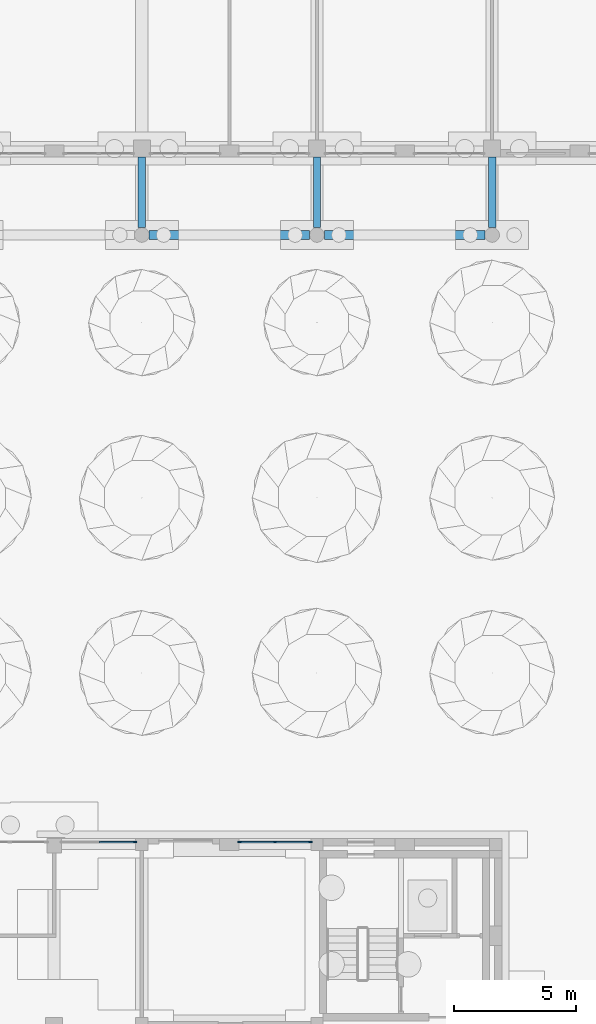
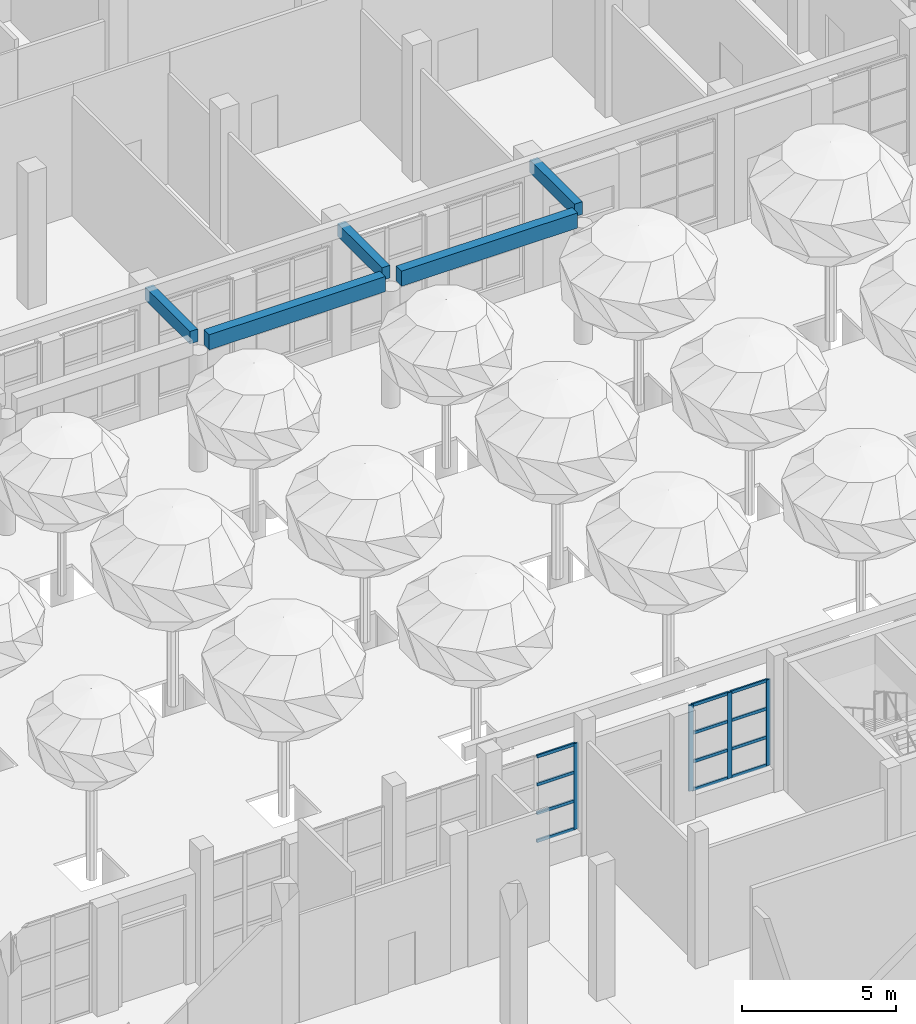
# One storey, part 20 of 80: 16 members, 5 beams, 2 elements without a shape of their own.
"""IFC4 building model written with IfcOpenShell, lengths in metres."""

from ifc_helpers import new_model, si_unit, direction, frame, origin, origin_2d, place, context, subcontext, project, spatial, rectangle, extrude, material, layer, layer_set, material_profile, profile_set, type_object, element, aggregate, save


model = new_model("IFC4")

# Units and contexts
model_context = context("Model", 3, precision=1e-05, world=origin(), true_north=direction((0.0, 1.0)))
body_context = subcontext(model_context, "Body", "Model", "MODEL_VIEW")
ifc_project = project(units=[si_unit("LENGTHUNIT", "METRE"), si_unit("AREAUNIT", "SQUARE_METRE"), si_unit("VOLUMEUNIT", "CUBIC_METRE"), si_unit("PLANEANGLEUNIT", "RADIAN"), si_unit("MASSUNIT", "GRAM", prefix="KILO")], contexts=[model_context])

# Site, building, storey
site_placement = place(None, origin())
site = spatial("IfcSite", under=ifc_project, at=site_placement, CompositionType="ELEMENT")
building_placement = place(site_placement, origin())
building = spatial("IfcBuilding", under=site, at=building_placement, Name="Ussher Court Research Institute", CompositionType="ELEMENT")
storey_placement = place(building_placement, origin())
storey = spatial("IfcBuildingStorey", under=building, at=storey_placement, Name="L00", CompositionType="ELEMENT", Elevation=0.0)

# Curtain wall, member
ifc_material_1 = material(Name="Bronze anodised aluminium with acoustic laminated glass", Category="aluminium")
ifc_layer = layer(ifc_material_1, 0.1201171875)
ifc_layer_set = layer_set([ifc_layer], Name="Bronze anodised aluminium with acoustic laminated glass")
curtain_wall_type = type_object("IfcCurtainWallType", Name="Curtain wall reading link court front ground floor", PredefinedType="NOTDEFINED", material=ifc_layer_set)
curtain_wall_1_placement = place(storey_placement, origin())
curtain_wall_1 = element("IfcCurtainWall", 1, at=curtain_wall_1_placement, inside=storey, type_object=curtain_wall_type, Name="Curtain wall CW6 L00", PredefinedType="NOTDEFINED")
ifc_material_2 = material(Name="Bronze anodised aluminium", Category="aluminium")
ifc_material_profile_1 = material_profile(ifc_material_2, rectangle(XDim=0.06005859375, YDim=0.159912109375, at=origin_2d()), Name="Mullion 60x160")
ifc_profile_set_1 = profile_set([ifc_material_profile_1], Name="Bronze anodised aluminium")
member_type_1 = type_object("IfcMemberType", Name="Mullion 60x160", PredefinedType="MULLION", material=ifc_profile_set_1)
member_1_placement = place(storey_placement, frame((67.52001953125, 40.25, 0.89990234375), z_axis=(0.0, 0.0, 1.0), x_axis=(0.0, 1.0, 0.0)))
member_1 = element("IfcMember", 2, at=member_1_placement, type_object=member_type_1, Name="CW6 mullion 3", PredefinedType="MULLION", context=body_context, shape_type="SweptSolid", body=[
    extrude(rectangle(XDim=0.06005859375, YDim=0.159912109375, at=origin_2d()), origin(), (0.0, 0.0, 1.0), 3.400146484375),
])

# Curtain wall, members
curtain_wall_2_placement = place(storey_placement, origin())
curtain_wall_2 = element("IfcCurtainWall", 3, at=curtain_wall_2_placement, inside=storey, type_object=curtain_wall_type, Name="Curtain wall CW6 L00", PredefinedType="NOTDEFINED")
member_2_placement = place(storey_placement, frame((71.830078125, 40.25, 0.89990234375), z_axis=(0.0, 0.0, 1.0), x_axis=(0.0, 1.0, 0.0)))
member_2 = element("IfcMember", 4, at=member_2_placement, type_object=member_type_1, Name="CW6 mullion 1", PredefinedType="MULLION", context=body_context, shape_type="SweptSolid", body=[
    extrude(rectangle(XDim=0.06005859375, YDim=0.159912109375, at=origin_2d()), origin(), (0.0, 0.0, 1.0), 3.400146484375),
])
member_3_placement = place(storey_placement, frame((73.27490234375, 40.25, 0.89990234375), z_axis=(0.0, 0.0, 1.0), x_axis=(0.0, 1.0, 0.0)))
member_3 = element("IfcMember", 5, at=member_3_placement, type_object=member_type_1, Name="CW6 mullion 2", PredefinedType="MULLION", context=body_context, shape_type="SweptSolid", body=[
    extrude(rectangle(XDim=0.06005859375, YDim=0.159912109375, at=origin_2d()), origin(), (0.0, 0.0, 1.0), 3.400146484375),
])
member_4_placement = place(storey_placement, frame((74.719970703125, 40.25, 0.89990234375), z_axis=(0.0, 0.0, 1.0), x_axis=(0.0, 1.0, 0.0)))
member_4 = element("IfcMember", 6, at=member_4_placement, type_object=member_type_1, Name="CW6 mullion 3", PredefinedType="MULLION", context=body_context, shape_type="SweptSolid", body=[
    extrude(rectangle(XDim=0.06005859375, YDim=0.159912109375, at=origin_2d()), origin(), (0.0, 0.0, 1.0), 3.400146484375),
])

# Beams
ifc_material_3 = material(Name="Concrete C35/45", Category="concrete")
ifc_material_profile_2 = material_profile(ifc_material_3, rectangle(XDim=0.300048828125, YDim=0.5, at=origin_2d()), Name="RC 300x500")
ifc_profile_set_2 = profile_set([ifc_material_profile_2], Name="Concrete C35/45")
beam_type_1 = type_object("IfcBeamType", Name="RC 300x500 beam", PredefinedType="BEAM", material=ifc_profile_set_2)
for number, where, z_axis, x_axis, name in (
    (7, (67.800048828125, 65.5, 4.969970703125), (0.0, 1.0, 0.0), (-1.0, 0.0, 0.0), "B2 V5C L00-10"),
    (8, (75.0, 65.5, 4.969970703125), (0.0, 1.0, 0.0), (-1.0, 0.0, 0.0), "B2 V5C L00-11"),
    (9, (82.199951171875, 65.5, 4.969970703125), (0.0, 1.0, 0.0), (-1.0, 0.0, 0.0), "B2 V5C L00-12"),
):
    element("IfcBeam", number, at=place(storey_placement, frame(where, z_axis=z_axis, x_axis=x_axis)), inside=storey, type_object=beam_type_1, Name=name, PredefinedType="BEAM", context=body_context, shape_type="SweptSolid", body=[
        extrude(rectangle(XDim=0.300048828125, YDim=0.5, at=origin_2d()), origin(), (0.0, 0.0, 1.0), 2.89990234375),
    ])
ifc_material_4 = material(Name="Concrete C35/45", Category="concrete")
ifc_material_profile_3 = material_profile(ifc_material_4, rectangle(XDim=0.35009765625, YDim=0.60009765625, at=origin_2d()), Name="RC 350x600")
ifc_profile_set_3 = profile_set([ifc_material_profile_3], Name="Concrete C35/45")
beam_type_2 = type_object("IfcBeamType", Name="RC 350x600 beam", PredefinedType="BEAM", material=ifc_profile_set_3)
for number, where, z_axis, x_axis, name in (
    (10, (68.10009765625, 65.199951171875, 4.919921875), (1.0, 0.0, 0.0), (0.0, 1.0, 0.0), "B15 V5C L00-10"),
    (11, (75.300048828125, 65.199951171875, 4.919921875), (1.0, 0.0, 0.0), (0.0, 1.0, 0.0), "B15 V5C L00-11"),
):
    element("IfcBeam", number, at=place(storey_placement, frame(where, z_axis=z_axis, x_axis=x_axis)), inside=storey, type_object=beam_type_2, Name=name, PredefinedType="BEAM", context=body_context, shape_type="SweptSolid", body=[
        extrude(rectangle(XDim=0.35009765625, YDim=0.60009765625, at=origin_2d()), origin(), (0.0, 0.0, 1.0), 6.599853515625),
    ])

# Member
ifc_material_5 = material(Name="Bronze anodised aluminium", Category="aluminium")
ifc_material_profile_4 = material_profile(ifc_material_5, rectangle(XDim=0.06005859375, YDim=0.1201171875, at=origin_2d()), Name="Transom 60x120")
ifc_profile_set_4 = profile_set([ifc_material_profile_4], Name="Bronze anodised aluminium")
member_type_2 = type_object("IfcMemberType", Name="Transom 60x120", PredefinedType="USERDEFINED", material=ifc_profile_set_4)
member_5_placement = place(storey_placement, frame((66.054931640625, 40.25, 0.929931640625), z_axis=(1.0, 0.0, 0.0), x_axis=(0.0, 1.0, 0.0)))
member_5 = element("IfcMember", 12, at=member_5_placement, type_object=member_type_2, Name="CW6 transom 2.1", ObjectType="TRANSOM", PredefinedType="USERDEFINED", context=body_context, shape_type="SweptSolid", body=[
    extrude(rectangle(XDim=0.06005859375, YDim=0.1201171875, at=origin_2d()), origin(), (0.0, 0.0, 1.0), 1.43505859375),
])

member_6_placement = place(storey_placement, frame((66.054931640625, 40.25, 2.033203125), z_axis=(1.0, 0.0, 0.0), x_axis=(0.0, 1.0, 0.0)))
member_6 = element("IfcMember", 13, at=member_6_placement, type_object=member_type_2, Name="CW6 transom 2.2", ObjectType="TRANSOM", PredefinedType="USERDEFINED", context=body_context, shape_type="SweptSolid", body=[
    extrude(rectangle(XDim=0.06005859375, YDim=0.1201171875, at=origin_2d()), origin(), (0.0, 0.0, 1.0), 1.43505859375),
])

member_7_placement = place(storey_placement, frame((66.054931640625, 40.25, 3.166748046875), z_axis=(1.0, 0.0, 0.0), x_axis=(0.0, 1.0, 0.0)))
member_7 = element("IfcMember", 14, at=member_7_placement, type_object=member_type_2, Name="CW6 transom 2.3", ObjectType="TRANSOM", PredefinedType="USERDEFINED", context=body_context, shape_type="SweptSolid", body=[
    extrude(rectangle(XDim=0.06005859375, YDim=0.1201171875, at=origin_2d()), origin(), (0.0, 0.0, 1.0), 1.43505859375),
])

member_8_placement = place(storey_placement, frame((66.054931640625, 40.25, 4.27001953125), z_axis=(1.0, 0.0, 0.0), x_axis=(0.0, 1.0, 0.0)))
member_8 = element("IfcMember", 15, at=member_8_placement, type_object=member_type_2, Name="CW6 transom 2.4", ObjectType="TRANSOM", PredefinedType="USERDEFINED", context=body_context, shape_type="SweptSolid", body=[
    extrude(rectangle(XDim=0.06005859375, YDim=0.1201171875, at=origin_2d()), origin(), (0.0, 0.0, 1.0), 1.43505859375),
])

aggregate(curtain_wall_1, [member_1, member_5, member_6, member_7, member_8])

member_9_placement = place(storey_placement, frame((71.860107421875, 40.25, 0.929931640625), z_axis=(1.0, 0.0, 0.0), x_axis=(0.0, 1.0, 0.0)))
member_9 = element("IfcMember", 16, at=member_9_placement, type_object=member_type_2, Name="CW6 transom 1.1", ObjectType="TRANSOM", PredefinedType="USERDEFINED", context=body_context, shape_type="SweptSolid", body=[
    extrude(rectangle(XDim=0.06005859375, YDim=0.1201171875, at=origin_2d()), origin(), (0.0, 0.0, 1.0), 1.385009765625),
])

member_10_placement = place(storey_placement, frame((71.860107421875, 40.25, 2.033203125), z_axis=(1.0, 0.0, 0.0), x_axis=(0.0, 1.0, 0.0)))
member_10 = element("IfcMember", 17, at=member_10_placement, type_object=member_type_2, Name="CW6 transom 1.2", ObjectType="TRANSOM", PredefinedType="USERDEFINED", context=body_context, shape_type="SweptSolid", body=[
    extrude(rectangle(XDim=0.06005859375, YDim=0.1201171875, at=origin_2d()), origin(), (0.0, 0.0, 1.0), 1.385009765625),
])

member_11_placement = place(storey_placement, frame((71.860107421875, 40.25, 3.166748046875), z_axis=(1.0, 0.0, 0.0), x_axis=(0.0, 1.0, 0.0)))
member_11 = element("IfcMember", 18, at=member_11_placement, type_object=member_type_2, Name="CW6 transom 1.3", ObjectType="TRANSOM", PredefinedType="USERDEFINED", context=body_context, shape_type="SweptSolid", body=[
    extrude(rectangle(XDim=0.06005859375, YDim=0.1201171875, at=origin_2d()), origin(), (0.0, 0.0, 1.0), 1.385009765625),
])

member_12_placement = place(storey_placement, frame((71.860107421875, 40.25, 4.27001953125), z_axis=(1.0, 0.0, 0.0), x_axis=(0.0, 1.0, 0.0)))
member_12 = element("IfcMember", 19, at=member_12_placement, type_object=member_type_2, Name="CW6 transom 1.4", ObjectType="TRANSOM", PredefinedType="USERDEFINED", context=body_context, shape_type="SweptSolid", body=[
    extrude(rectangle(XDim=0.06005859375, YDim=0.1201171875, at=origin_2d()), origin(), (0.0, 0.0, 1.0), 1.385009765625),
])

member_13_placement = place(storey_placement, frame((73.304931640625, 40.25, 0.929931640625), z_axis=(1.0, 0.0, 0.0), x_axis=(0.0, 1.0, 0.0)))
member_13 = element("IfcMember", 20, at=member_13_placement, type_object=member_type_2, Name="CW6 transom 2.1", ObjectType="TRANSOM", PredefinedType="USERDEFINED", context=body_context, shape_type="SweptSolid", body=[
    extrude(rectangle(XDim=0.06005859375, YDim=0.1201171875, at=origin_2d()), origin(), (0.0, 0.0, 1.0), 1.385009765625),
])

member_14_placement = place(storey_placement, frame((73.304931640625, 40.25, 2.033203125), z_axis=(1.0, 0.0, 0.0), x_axis=(0.0, 1.0, 0.0)))
member_14 = element("IfcMember", 21, at=member_14_placement, type_object=member_type_2, Name="CW6 transom 2.2", ObjectType="TRANSOM", PredefinedType="USERDEFINED", context=body_context, shape_type="SweptSolid", body=[
    extrude(rectangle(XDim=0.06005859375, YDim=0.1201171875, at=origin_2d()), origin(), (0.0, 0.0, 1.0), 1.385009765625),
])

member_15_placement = place(storey_placement, frame((73.304931640625, 40.25, 3.166748046875), z_axis=(1.0, 0.0, 0.0), x_axis=(0.0, 1.0, 0.0)))
member_15 = element("IfcMember", 22, at=member_15_placement, type_object=member_type_2, Name="CW6 transom 2.3", ObjectType="TRANSOM", PredefinedType="USERDEFINED", context=body_context, shape_type="SweptSolid", body=[
    extrude(rectangle(XDim=0.06005859375, YDim=0.1201171875, at=origin_2d()), origin(), (0.0, 0.0, 1.0), 1.385009765625),
])

member_16_placement = place(storey_placement, frame((73.304931640625, 40.25, 4.27001953125), z_axis=(1.0, 0.0, 0.0), x_axis=(0.0, 1.0, 0.0)))
member_16 = element("IfcMember", 23, at=member_16_placement, type_object=member_type_2, Name="CW6 transom 2.4", ObjectType="TRANSOM", PredefinedType="USERDEFINED", context=body_context, shape_type="SweptSolid", body=[
    extrude(rectangle(XDim=0.06005859375, YDim=0.1201171875, at=origin_2d()), origin(), (0.0, 0.0, 1.0), 1.385009765625),
])

aggregate(curtain_wall_2, [member_2, member_3, member_4, member_9, member_10, member_11, member_12, member_13, member_14, member_15, member_16])

save(model, "model.ifc")
